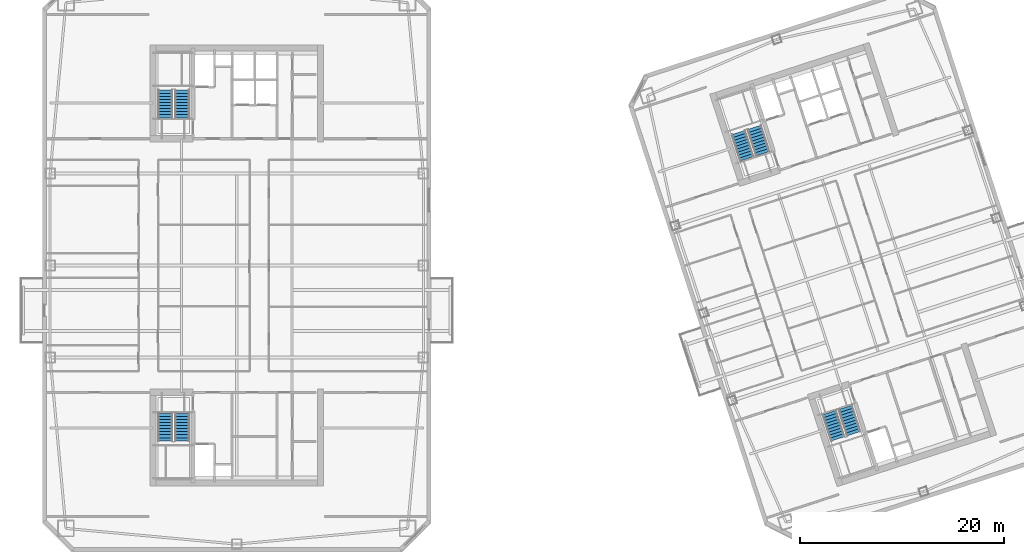
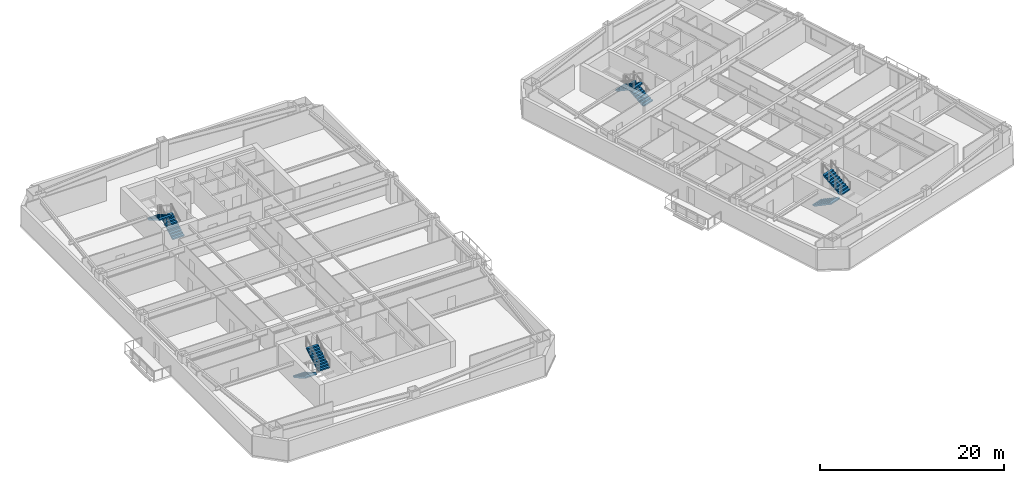
# One storey, part 18 of 22: 8 stair flights, 4 elements without a shape of their own.
"""IFC4 building model written with IfcOpenShell, lengths in metres."""

from ifc_helpers import new_model, si_unit, direction, frame, origin, place, context, subcontext, project, spatial, polyline, outline, extrude, material, type_object, element, aggregate, save


model = new_model("IFC4")

# Units and contexts
model_context = context("Model", 3, precision=1e-05, world=origin(), true_north=direction((0.0, 1.0)))
body_context = subcontext(model_context, "Body", "Model", "MODEL_VIEW")
ifc_project = project(units=[si_unit("LENGTHUNIT", "METRE"), si_unit("AREAUNIT", "SQUARE_METRE"), si_unit("VOLUMEUNIT", "CUBIC_METRE"), si_unit("PLANEANGLEUNIT", "RADIAN"), si_unit("MASSUNIT", "GRAM", prefix="KILO")], contexts=[model_context])

# Site, building, storey
site_placement = place(None, origin())
site = spatial("IfcSite", under=ifc_project, at=site_placement, CompositionType="ELEMENT")
building_placement = place(site_placement, origin())
building = spatial("IfcBuilding", under=site, at=building_placement, Name="Qiaolan Cultural Towers", CompositionType="ELEMENT")
storey_placement = place(building_placement, frame((0.0, 0.0, 146.050048828125)))
storey = spatial("IfcBuildingStorey", under=building, at=storey_placement, Name="L38", CompositionType="ELEMENT", Elevation=146.050048828125)

# Stair, stair flights
ifc_material_1 = material(Name="Concrete C45", Category="concrete")
stair_type = type_object("IfcStairType", Name="STR-CORE-1500", PredefinedType="HALF_TURN_STAIR", material=ifc_material_1)
stair_1_placement = place(storey_placement, origin())
stair_1 = element("IfcStair", 1, at=stair_1_placement, inside=storey, type_object=stair_type, Name="L38 Smokeproof Exit Stair ST-W1", PredefinedType="HALF_TURN_STAIR")
ifc_material_2 = material(Name="Concrete C45", Category="concrete")
stair_flight_type = type_object("IfcStairFlightType", Name="STR-CORE-1500-FL", PredefinedType="STRAIGHT", material=ifc_material_2)
stair_flight_1_placement = place(storey_placement, frame((23.02001953125, 19.550048828125, 0.0), z_axis=(0.0, 0.0, 1.0), x_axis=(0.0, -1.0, 0.0)))
stair_flight_1 = element("IfcStairFlight", 2, at=stair_flight_1_placement, type_object=stair_flight_type, Name="ST-W1 flight 1", NumberOfRisers=10, NumberOfTreads=9, PredefinedType="STRAIGHT", RiserHeight=0.1725, TreadLength=0.3, context=body_context, shape_type="SweptSolid", body=[
    extrude(outline(polyline([(0.0, 0.0), (0.0, 0.172607421875), (0.300048828125, 0.172607421875), (0.300048828125, 0.344970703125), (0.60009765625, 0.344970703125), (0.60009765625, 0.517578125), (0.89990234375, 0.517578125), (0.89990234375, 0.68994140625), (1.199951171875, 0.68994140625), (1.199951171875, 0.862548828125), (1.5, 0.862548828125), (1.5, 1.034912109375), (1.800048828125, 1.034912109375), (1.800048828125, 1.20751953125), (2.10009765625, 1.20751953125), (2.10009765625, 1.3798828125), (2.39990234375, 1.3798828125), (2.39990234375, 1.552490234375), (2.699951171875, 1.552490234375), (2.699951171875, 1.72509765625), (2.699951171875, 1.379638671875), (0.30078125, 0.0), (0.0, 0.0)])), frame((0.0, 0.719970703125, 0.0), z_axis=(0.0, -1.0, 0.0), x_axis=(1.0, 0.0, 0.0)), (0.0, 0.0, 1.0), 1.43994140625),
])
stair_flight_2_placement = place(storey_placement, frame((24.659912109375, 16.85009765625, 1.724853515625), z_axis=(0.0, 0.0, 1.0), x_axis=(0.0, 1.0, 0.0)))
stair_flight_2 = element("IfcStairFlight", 3, at=stair_flight_2_placement, type_object=stair_flight_type, Name="ST-W1 flight 2", NumberOfRisers=10, NumberOfTreads=9, PredefinedType="STRAIGHT", RiserHeight=0.1725, TreadLength=0.3, context=body_context, shape_type="SweptSolid", body=[
    extrude(outline(polyline([(0.0, 0.0), (0.0, 0.172607421875), (0.300048828125, 0.172607421875), (0.300048828125, 0.344970703125), (0.60009765625, 0.344970703125), (0.60009765625, 0.517578125), (0.89990234375, 0.517578125), (0.89990234375, 0.68994140625), (1.199951171875, 0.68994140625), (1.199951171875, 0.862548828125), (1.5, 0.862548828125), (1.5, 1.034912109375), (1.800048828125, 1.034912109375), (1.800048828125, 1.20751953125), (2.10009765625, 1.20751953125), (2.10009765625, 1.3798828125), (2.39990234375, 1.3798828125), (2.39990234375, 1.552490234375), (2.699951171875, 1.552490234375), (2.699951171875, 1.72509765625), (2.699951171875, 1.379638671875), (0.30078125, 0.0), (0.0, 0.0)])), frame((0.0, 0.719970703125, 0.0), z_axis=(0.0, -1.0, 0.0), x_axis=(1.0, 0.0, 0.0)), (0.0, 0.0, 1.0), 1.43994140625),
])
aggregate(stair_1, [stair_flight_1, stair_flight_2])

stair_2_placement = place(storey_placement, origin())
stair_2 = element("IfcStair", 4, at=stair_2_placement, inside=storey, type_object=stair_type, Name="L38 Smokeproof Exit Stair ST-W2", PredefinedType="HALF_TURN_STAIR")
stair_flight_3_placement = place(storey_placement, frame((24.659912109375, 48.449951171875, 0.0), z_axis=(0.0, 0.0, 1.0), x_axis=(0.0, 1.0, 0.0)))
stair_flight_3 = element("IfcStairFlight", 5, at=stair_flight_3_placement, type_object=stair_flight_type, Name="ST-W2 flight 1", NumberOfRisers=10, NumberOfTreads=9, PredefinedType="STRAIGHT", RiserHeight=0.1725, TreadLength=0.3, context=body_context, shape_type="SweptSolid", body=[
    extrude(outline(polyline([(0.0, 0.0), (0.0, 0.172607421875), (0.300048828125, 0.172607421875), (0.300048828125, 0.344970703125), (0.60009765625, 0.344970703125), (0.60009765625, 0.517578125), (0.89990234375, 0.517578125), (0.89990234375, 0.68994140625), (1.199951171875, 0.68994140625), (1.199951171875, 0.862548828125), (1.5, 0.862548828125), (1.5, 1.034912109375), (1.800048828125, 1.034912109375), (1.800048828125, 1.20751953125), (2.10009765625, 1.20751953125), (2.10009765625, 1.3798828125), (2.39990234375, 1.3798828125), (2.39990234375, 1.552490234375), (2.699951171875, 1.552490234375), (2.699951171875, 1.72509765625), (2.699951171875, 1.379638671875), (0.30078125, 0.0), (0.0, 0.0)])), frame((0.0, 0.719970703125, 0.0), z_axis=(0.0, -1.0, 0.0), x_axis=(1.0, 0.0, 0.0)), (0.0, 0.0, 1.0), 1.43994140625),
])
stair_flight_4_placement = place(storey_placement, frame((23.02001953125, 51.14990234375, 1.724853515625), z_axis=(0.0, 0.0, 1.0), x_axis=(0.0, -1.0, 0.0)))
stair_flight_4 = element("IfcStairFlight", 6, at=stair_flight_4_placement, type_object=stair_flight_type, Name="ST-W2 flight 2", NumberOfRisers=10, NumberOfTreads=9, PredefinedType="STRAIGHT", RiserHeight=0.1725, TreadLength=0.3, context=body_context, shape_type="SweptSolid", body=[
    extrude(outline(polyline([(0.0, 0.0), (0.0, 0.172607421875), (0.300048828125, 0.172607421875), (0.300048828125, 0.344970703125), (0.60009765625, 0.344970703125), (0.60009765625, 0.517578125), (0.89990234375, 0.517578125), (0.89990234375, 0.68994140625), (1.199951171875, 0.68994140625), (1.199951171875, 0.862548828125), (1.5, 0.862548828125), (1.5, 1.034912109375), (1.800048828125, 1.034912109375), (1.800048828125, 1.20751953125), (2.10009765625, 1.20751953125), (2.10009765625, 1.3798828125), (2.39990234375, 1.3798828125), (2.39990234375, 1.552490234375), (2.699951171875, 1.552490234375), (2.699951171875, 1.72509765625), (2.699951171875, 1.379638671875), (0.30078125, 0.0), (0.0, 0.0)])), frame((0.0, 0.719970703125, 0.0), z_axis=(0.0, -1.0, 0.0), x_axis=(1.0, 0.0, 0.0)), (0.0, 0.0, 1.0), 1.43994140625),
])
aggregate(stair_2, [stair_flight_3, stair_flight_4])

stair_3_placement = place(storey_placement, origin())
stair_3 = element("IfcStair", 7, at=stair_3_placement, inside=storey, type_object=stair_type, Name="L38 Smokeproof Exit Stair ST-E1", PredefinedType="HALF_TURN_STAIR")
stair_flight_5_placement = place(storey_placement, frame((87.96484375, 19.6171875, 0.0), z_axis=(0.0, 0.0, 1.0), x_axis=(0.309016994375, -0.951056516295, 0.0)))
stair_flight_5 = element("IfcStairFlight", 8, at=stair_flight_5_placement, type_object=stair_flight_type, Name="ST-E1 flight 1", NumberOfRisers=10, NumberOfTreads=9, PredefinedType="STRAIGHT", RiserHeight=0.1725, TreadLength=0.3, context=body_context, shape_type="SweptSolid", body=[
    extrude(outline(polyline([(0.0, 0.0), (0.0, 0.172607421875), (0.300048828125, 0.172607421875), (0.300048828125, 0.344970703125), (0.60009765625, 0.344970703125), (0.60009765625, 0.517578125), (0.89990234375, 0.517578125), (0.89990234375, 0.68994140625), (1.199951171875, 0.68994140625), (1.199951171875, 0.862548828125), (1.5, 0.862548828125), (1.5, 1.034912109375), (1.800048828125, 1.034912109375), (1.800048828125, 1.20751953125), (2.10009765625, 1.20751953125), (2.10009765625, 1.3798828125), (2.39990234375, 1.3798828125), (2.39990234375, 1.552490234375), (2.699951171875, 1.552490234375), (2.699951171875, 1.72509765625), (2.699951171875, 1.379638671875), (0.30078125, 0.0), (0.0, 0.0)])), frame((0.0, 0.719970703125, 0.0), z_axis=(0.0, -1.0, 0.0), x_axis=(1.0, 0.0, 0.0)), (0.0, 0.0, 1.0), 1.43994140625),
])
stair_flight_6_placement = place(storey_placement, frame((90.359130859375, 17.55615234375, 1.724853515625), z_axis=(0.0, 0.0, 1.0), x_axis=(-0.309016994375, 0.951056516295, 0.0)))
stair_flight_6 = element("IfcStairFlight", 9, at=stair_flight_6_placement, type_object=stair_flight_type, Name="ST-E1 flight 2", NumberOfRisers=10, NumberOfTreads=9, PredefinedType="STRAIGHT", RiserHeight=0.1725, TreadLength=0.3, context=body_context, shape_type="SweptSolid", body=[
    extrude(outline(polyline([(0.0, 0.0), (0.0, 0.172607421875), (0.300048828125, 0.172607421875), (0.300048828125, 0.344970703125), (0.60009765625, 0.344970703125), (0.60009765625, 0.517578125), (0.89990234375, 0.517578125), (0.89990234375, 0.68994140625), (1.199951171875, 0.68994140625), (1.199951171875, 0.862548828125), (1.5, 0.862548828125), (1.5, 1.034912109375), (1.800048828125, 1.034912109375), (1.800048828125, 1.20751953125), (2.10009765625, 1.20751953125), (2.10009765625, 1.3798828125), (2.39990234375, 1.3798828125), (2.39990234375, 1.552490234375), (2.699951171875, 1.552490234375), (2.699951171875, 1.72509765625), (2.699951171875, 1.379638671875), (0.30078125, 0.0), (0.0, 0.0)])), frame((0.0, 0.719970703125, 0.0), z_axis=(0.0, -1.0, 0.0), x_axis=(1.0, 0.0, 0.0)), (0.0, 0.0, 1.0), 1.43994140625),
])
aggregate(stair_3, [stair_flight_5, stair_flight_6])

stair_4_placement = place(storey_placement, origin())
stair_4 = element("IfcStair", 10, at=stair_4_placement, inside=storey, type_object=stair_type, Name="L38 Smokeproof Exit Stair ST-E2", PredefinedType="HALF_TURN_STAIR")
stair_flight_7_placement = place(storey_placement, frame((81.459228515625, 44.946533203125, 0.0), z_axis=(0.0, 0.0, 1.0), x_axis=(-0.309016994375, 0.951056516295, 0.0)))
stair_flight_7 = element("IfcStairFlight", 11, at=stair_flight_7_placement, type_object=stair_flight_type, Name="ST-E2 flight 1", NumberOfRisers=10, NumberOfTreads=9, PredefinedType="STRAIGHT", RiserHeight=0.1725, TreadLength=0.3, context=body_context, shape_type="SweptSolid", body=[
    extrude(outline(polyline([(0.0, 0.0), (0.0, 0.172607421875), (0.300048828125, 0.172607421875), (0.300048828125, 0.344970703125), (0.60009765625, 0.344970703125), (0.60009765625, 0.517578125), (0.89990234375, 0.517578125), (0.89990234375, 0.68994140625), (1.199951171875, 0.68994140625), (1.199951171875, 0.862548828125), (1.5, 0.862548828125), (1.5, 1.034912109375), (1.800048828125, 1.034912109375), (1.800048828125, 1.20751953125), (2.10009765625, 1.20751953125), (2.10009765625, 1.3798828125), (2.39990234375, 1.3798828125), (2.39990234375, 1.552490234375), (2.699951171875, 1.552490234375), (2.699951171875, 1.72509765625), (2.699951171875, 1.379638671875), (0.30078125, 0.0), (0.0, 0.0)])), frame((0.0, 0.719970703125, 0.0), z_axis=(0.0, -1.0, 0.0), x_axis=(1.0, 0.0, 0.0)), (0.0, 0.0, 1.0), 1.43994140625),
])
stair_flight_8_placement = place(storey_placement, frame((79.065185546875, 47.007568359375, 1.724853515625), z_axis=(0.0, 0.0, 1.0), x_axis=(0.309016994375, -0.951056516295, 0.0)))
stair_flight_8 = element("IfcStairFlight", 12, at=stair_flight_8_placement, type_object=stair_flight_type, Name="ST-E2 flight 2", NumberOfRisers=10, NumberOfTreads=9, PredefinedType="STRAIGHT", RiserHeight=0.1725, TreadLength=0.3, context=body_context, shape_type="SweptSolid", body=[
    extrude(outline(polyline([(0.0, 0.0), (0.0, 0.172607421875), (0.300048828125, 0.172607421875), (0.300048828125, 0.344970703125), (0.60009765625, 0.344970703125), (0.60009765625, 0.517578125), (0.89990234375, 0.517578125), (0.89990234375, 0.68994140625), (1.199951171875, 0.68994140625), (1.199951171875, 0.862548828125), (1.5, 0.862548828125), (1.5, 1.034912109375), (1.800048828125, 1.034912109375), (1.800048828125, 1.20751953125), (2.10009765625, 1.20751953125), (2.10009765625, 1.3798828125), (2.39990234375, 1.3798828125), (2.39990234375, 1.552490234375), (2.699951171875, 1.552490234375), (2.699951171875, 1.72509765625), (2.699951171875, 1.379638671875), (0.30078125, 0.0), (0.0, 0.0)])), frame((0.0, 0.719970703125, 0.0), z_axis=(0.0, -1.0, 0.0), x_axis=(1.0, 0.0, 0.0)), (0.0, 0.0, 1.0), 1.43994140625),
])
aggregate(stair_4, [stair_flight_7, stair_flight_8])

save(model, "model.ifc")
